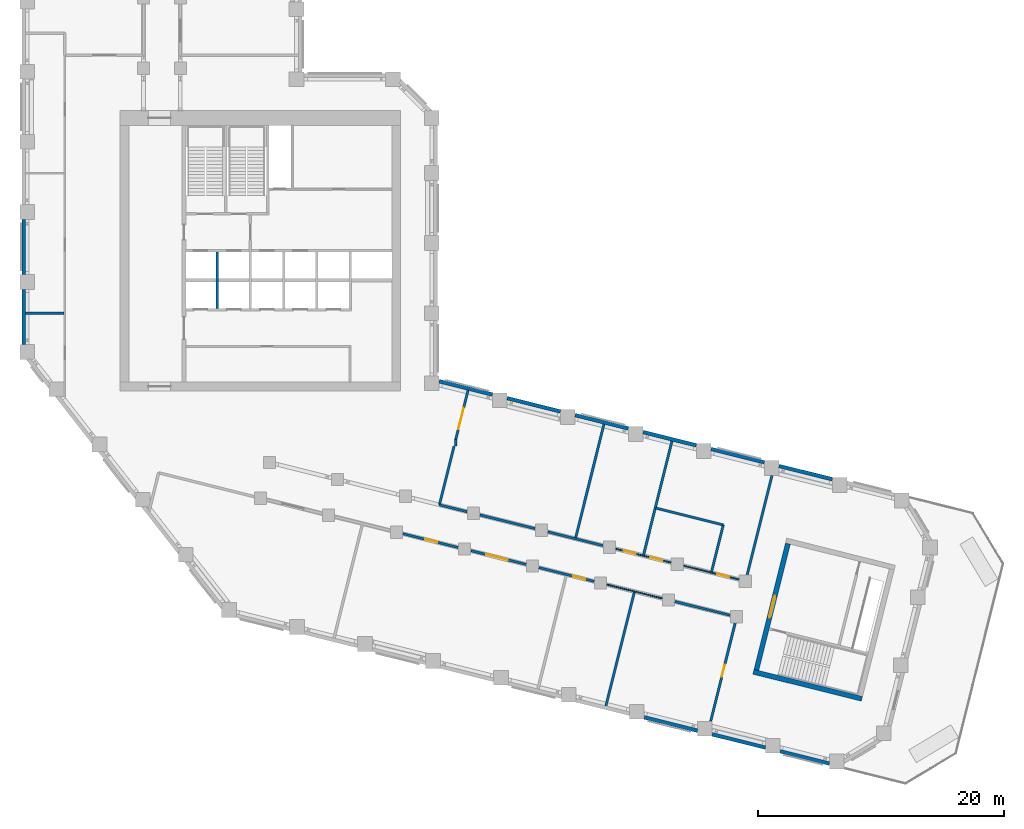
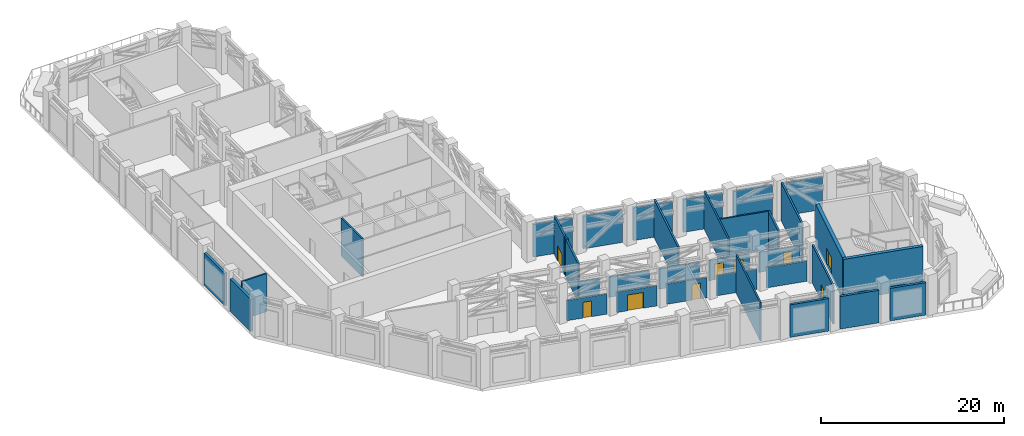
# One storey, part 7 of 14: 35 walls, 9 doors, 9 openings.
"""IFC4 building model written with IfcOpenShell, lengths in metres."""

from ifc_helpers import new_model, si_unit, direction, frame, frame_2d, origin, place, context, subcontext, project, spatial, rectangle, extrude, material, layer, layer_set, type_object, element, fill, save


model = new_model("IFC4")

# Units and contexts
model_context = context("Model", 3, precision=1e-05, world=origin(), true_north=direction((0.0, 1.0)))
body_context = subcontext(model_context, "Body", "Model", "MODEL_VIEW")
ifc_project = project(units=[si_unit("LENGTHUNIT", "METRE"), si_unit("AREAUNIT", "SQUARE_METRE"), si_unit("VOLUMEUNIT", "CUBIC_METRE"), si_unit("PLANEANGLEUNIT", "RADIAN"), si_unit("MASSUNIT", "GRAM", prefix="KILO")], contexts=[model_context])

# Site, building, storey
site_placement = place(None, origin())
site = spatial("IfcSite", under=ifc_project, at=site_placement, CompositionType="ELEMENT")
building_placement = place(site_placement, origin())
building = spatial("IfcBuilding", under=site, at=building_placement, Name="Meshkara Civic Tower", CompositionType="ELEMENT")
storey_placement = place(building_placement, frame((0.0, 0.0, 220.199951171875)))
storey = spatial("IfcBuildingStorey", under=building, at=storey_placement, Name="L50", CompositionType="ELEMENT", Elevation=220.199951171875)

# Wall
ifc_material_1 = material(Name="Corridor wall 100")
ifc_layer_1 = layer(ifc_material_1, 0.10009765625)
ifc_layer_set_1 = layer_set([ifc_layer_1], Name="Corridor wall 100")
wall_type_1 = type_object("IfcWallType", Name="Corridor wall 100", PredefinedType="PARTITIONING", material=ifc_layer_set_1)
wall_1_placement = place(storey_placement, frame((47.596923828125, -1.6640625, 0.0), z_axis=(0.0, 0.0, 1.0), x_axis=(0.970288155783, -0.241952257166, 0.0)))
element("IfcWall", 1, at=wall_1_placement, inside=storey, type_object=wall_type_1, Name="L50-R023", PredefinedType="PARTITIONING", context=body_context, shape_type="SweptSolid", body=[
    extrude(rectangle(XDim=4.62841796875, YDim=0.10009765625, at=frame_2d((2.314208984375, 0.0))), origin(), (0.0, 0.0, 1.0), 2.699951171875),
])

# Wall, openings, doors
wall_2_placement = place(storey_placement, frame((48.322998046875, 1.2470703125, 0.0), z_axis=(0.0, 0.0, 1.0), x_axis=(0.970275771514, -0.242001915722, 0.0)))
wall_2 = element("IfcWall", 2, at=wall_2_placement, inside=storey, type_object=wall_type_1, Name="L50-R024", PredefinedType="PARTITIONING", context=body_context, shape_type="SweptSolid", body=[
    extrude(rectangle(XDim=4.628662109375, YDim=0.10009765625, at=frame_2d((2.314453125, 0.0))), origin(), (0.0, 0.0, 1.0), 2.699951171875),
])
opening_1_placement = place(wall_2_placement, frame((0.679931640625, 0.0, 0.0)))
opening_1 = element("IfcOpeningElement", 3, at=opening_1_placement, cuts=wall_2, Name="Opening L50-P007", PredefinedType="OPENING", context=body_context, shape_type="SweptSolid", body=[
    extrude(rectangle(XDim=1.0, YDim=2.10009765625, at=frame_2d((0.5, 1.050048828125))), frame((0.0, 0.06005859375, 0.0), z_axis=(0.0, -1.0, 0.0), x_axis=(1.0, 0.0, 0.0)), (0.0, 0.0, 1.0), 0.1201171875),
])
opening_2_placement = place(wall_2_placement, frame((2.89404296875, 0.0, 0.0)))
opening_2 = element("IfcOpeningElement", 4, at=opening_2_placement, cuts=wall_2, Name="Opening L50-P008", PredefinedType="OPENING", context=body_context, shape_type="SweptSolid", body=[
    extrude(rectangle(XDim=1.0, YDim=2.10009765625, at=frame_2d((0.5, 1.050048828125))), frame((0.0, 0.06005859375, 0.0), z_axis=(0.0, -1.0, 0.0), x_axis=(1.0, 0.0, 0.0)), (0.0, 0.0, 1.0), 0.1201171875),
])
ifc_material_2 = material(Name="Door 1000 x 2100")
door_type_1 = type_object("IfcDoorType", Name="Door 1000 x 2100", OperationType="SINGLE_SWING_LEFT", PredefinedType="DOOR", material=ifc_material_2)
door_1_placement = place(opening_1_placement, origin())
door_1 = element("IfcDoor", 5, at=door_1_placement, inside=storey, type_object=door_type_1, Name="L50-P007", OperationType="SINGLE_SWING_RIGHT", OverallHeight=2.10009765625, OverallWidth=1.0, PredefinedType="DOOR", context=body_context, shape_type="SweptSolid", body=[
    extrude(rectangle(XDim=1.0, YDim=2.10009765625, at=frame_2d((0.5, 1.050048828125))), frame((0.0, 0.02490234375, 0.0), z_axis=(0.0, -1.0, 0.0), x_axis=(1.0, 0.0, 0.0)), (0.0, 0.0, 1.0), 0.050048828125),
])
fill(opening_1, door_1)
door_2_placement = place(opening_2_placement, origin())
door_2 = element("IfcDoor", 6, at=door_2_placement, inside=storey, type_object=door_type_1, Name="L50-P008", OperationType="SINGLE_SWING_LEFT", OverallHeight=2.10009765625, OverallWidth=1.0, PredefinedType="DOOR", context=body_context, shape_type="SweptSolid", body=[
    extrude(rectangle(XDim=1.0, YDim=2.10009765625, at=frame_2d((0.5, 1.050048828125))), frame((0.0, 0.02490234375, 0.0), z_axis=(0.0, -1.0, 0.0), x_axis=(1.0, 0.0, 0.0)), (0.0, 0.0, 1.0), 0.050048828125),
])
fill(opening_2, door_2)

# Wall, opening, door
wall_3_placement = place(storey_placement, frame((53.85400390625, -0.132080078125, 0.0), z_axis=(0.0, 0.0, 1.0), x_axis=(0.97032533494, -0.241803110762, 0.0)))
wall_3 = element("IfcWall", 7, at=wall_3_placement, inside=storey, type_object=wall_type_1, Name="L50-R026", PredefinedType="PARTITIONING", context=body_context, shape_type="SweptSolid", body=[
    extrude(rectangle(XDim=4.627197265625, YDim=0.10009765625, at=frame_2d((2.3134765625, 0.0))), origin(), (0.0, 0.0, 1.0), 2.699951171875),
])
opening_3_placement = place(wall_3_placement, frame((2.7939453125, 0.0, 0.0)))
opening_3 = element("IfcOpeningElement", 8, at=opening_3_placement, cuts=wall_3, Name="Opening L50-P003", PredefinedType="OPENING", context=body_context, shape_type="SweptSolid", body=[
    extrude(rectangle(XDim=1.0, YDim=2.10009765625, at=frame_2d((0.5, 1.050048828125))), frame((0.0, 0.06005859375, 0.0), z_axis=(0.0, -1.0, 0.0), x_axis=(1.0, 0.0, 0.0)), (0.0, 0.0, 1.0), 0.1201171875),
])
door_3_placement = place(opening_3_placement, origin())
door_3 = element("IfcDoor", 9, at=door_3_placement, inside=storey, type_object=door_type_1, Name="L50-P003", OperationType="SINGLE_SWING_LEFT", OverallHeight=2.10009765625, OverallWidth=1.0, PredefinedType="DOOR", context=body_context, shape_type="SweptSolid", body=[
    extrude(rectangle(XDim=1.0, YDim=2.10009765625, at=frame_2d((0.5, 1.050048828125))), frame((0.0, 0.02490234375, 0.0), z_axis=(0.0, -1.0, 0.0), x_axis=(1.0, 0.0, 0.0)), (0.0, 0.0, 1.0), 0.050048828125),
])
fill(opening_3, door_3)

# Walls
ifc_material_3 = material(Name="Insulated infill panel with bronze anodised aluminium cladding", Category="aluminium")
ifc_layer_2 = layer(ifc_material_3, 0.300048828125)
ifc_layer_set_2 = layer_set([ifc_layer_2], Name="EXTERNAL INFILL WALL 300")
wall_type_2 = type_object("IfcWallType", Name="EXTERNAL INFILL WALL 300", PredefinedType="SOLIDWALL", material=ifc_layer_set_2)
wall_4_placement = place(storey_placement, frame((65.93408203125, 6.904052734375, 0.0), z_axis=(0.0, 0.0, 1.0), x_axis=(-0.970296737599, 0.241917839369, 0.0)))
element("IfcWall", 10, at=wall_4_placement, inside=storey, type_object=wall_type_2, Name="External wall", PredefinedType="SOLIDWALL", context=body_context, shape_type="SweptSolid", body=[
    extrude(rectangle(XDim=4.463623046875, YDim=0.300048828125, at=frame_2d((2.23193359375, 0.0))), origin(), (0.0, 0.0, 1.0), 4.35009765625),
])
wall_5_placement = place(storey_placement, frame((60.403076171875, 8.282958984375, 0.0), z_axis=(0.0, 0.0, 1.0), x_axis=(-0.970271084239, 0.242020707977, 0.0)))
element("IfcWall", 11, at=wall_5_placement, inside=storey, type_object=wall_type_2, Name="External wall", PredefinedType="SOLIDWALL", context=body_context, shape_type="SweptSolid", body=[
    extrude(rectangle(XDim=4.462646484375, YDim=0.300048828125, at=frame_2d((2.2314453125, 0.0))), origin(), (0.0, 0.0, 1.0), 4.35009765625),
])
for number, where, z_axis, x_axis, name in (
    (12, (54.873046875, 9.662109375, 0.0), (0.0, 0.0, 1.0), (-0.970296737599, 0.241917839369, 0.0), "External wall"),
    (13, (49.342041015625, 11.041015625, 0.0), (0.0, 0.0, 1.0), (-0.970283897632, 0.241969332758, 0.0), "External wall"),
):
    element("IfcWall", number, at=place(storey_placement, frame(where, z_axis=z_axis, x_axis=x_axis)), inside=storey, type_object=wall_type_2, Name=name, PredefinedType="SOLIDWALL", context=body_context, shape_type="SweptSolid", body=[
        extrude(rectangle(XDim=4.463623046875, YDim=0.300048828125, at=frame_2d((2.23193359375, 0.0))), origin(), (0.0, 0.0, 1.0), 4.35009765625),
    ])
wall_6_placement = place(storey_placement, frame((43.81103515625, 12.419921875, 0.0), z_axis=(0.0, 0.0, 1.0), x_axis=(-0.970271084239, 0.242020707977, 0.0)))
element("IfcWall", 14, at=wall_6_placement, inside=storey, type_object=wall_type_2, Name="External wall", PredefinedType="SOLIDWALL", context=body_context, shape_type="SweptSolid", body=[
    extrude(rectangle(XDim=4.462646484375, YDim=0.300048828125, at=frame_2d((2.2314453125, 0.0))), origin(), (0.0, 0.0, 1.0), 4.35009765625),
])
wall_7_placement = place(storey_placement, frame((38.281005859375, 13.799072265625, 0.0), z_axis=(0.0, 0.0, 1.0), x_axis=(-0.970296737599, 0.241917839369, 0.0)))
element("IfcWall", 15, at=wall_7_placement, inside=storey, type_object=wall_type_2, Name="External wall", PredefinedType="SOLIDWALL", context=body_context, shape_type="SweptSolid", body=[
    extrude(rectangle(XDim=4.463623046875, YDim=0.300048828125, at=frame_2d((2.23193359375, 0.0))), origin(), (0.0, 0.0, 1.0), 4.35009765625),
])
wall_8_placement = place(storey_placement, frame((0.14990234375, 28.053955078125, 0.0), z_axis=(0.0, 0.0, 1.0), x_axis=(0.0, -1.0, 0.0)))
element("IfcWall", 16, at=wall_8_placement, inside=storey, type_object=wall_type_2, Name="External wall", PredefinedType="SOLIDWALL", context=body_context, shape_type="SweptSolid", body=[
    extrude(rectangle(XDim=4.498046875, YDim=0.300048828125, at=frame_2d((2.2490234375, 0.0))), origin(), (0.0, 0.0, 1.0), 4.35009765625),
])
wall_9_placement = place(storey_placement, frame((0.14990234375, 22.35400390625, 0.0), z_axis=(0.0, 0.0, 1.0), x_axis=(0.0, -1.0, 0.0)))
element("IfcWall", 17, at=wall_9_placement, inside=storey, type_object=wall_type_2, Name="External wall", PredefinedType="SOLIDWALL", context=body_context, shape_type="SweptSolid", body=[
    extrude(rectangle(XDim=4.4990234375, YDim=0.300048828125, at=frame_2d((2.24951171875, 0.0))), origin(), (0.0, 0.0, 1.0), 4.35009765625),
])
for number, where, z_axis, x_axis, name in (
    (18, (50.635009765625, -12.469970703125, 0.0), (0.0, 0.0, 1.0), (0.970283897632, -0.241969332758, 0.0), "External wall"),
    (19, (56.166015625, -13.84912109375, 0.0), (0.0, 0.0, 1.0), (0.970296737599, -0.241917839369, 0.0), "External wall"),
):
    element("IfcWall", number, at=place(storey_placement, frame(where, z_axis=z_axis, x_axis=x_axis)), inside=storey, type_object=wall_type_2, Name=name, PredefinedType="SOLIDWALL", context=body_context, shape_type="SweptSolid", body=[
        extrude(rectangle(XDim=4.463623046875, YDim=0.300048828125, at=frame_2d((2.23193359375, 0.0))), origin(), (0.0, 0.0, 1.0), 4.35009765625),
    ])
wall_10_placement = place(storey_placement, frame((61.697021484375, -15.22802734375, 0.0), z_axis=(0.0, 0.0, 1.0), x_axis=(0.970295624583, -0.241922303467, 0.0)))
element("IfcWall", 20, at=wall_10_placement, inside=storey, type_object=wall_type_2, Name="External wall", PredefinedType="SOLIDWALL", context=body_context, shape_type="SweptSolid", body=[
    extrude(rectangle(XDim=4.121337890625, YDim=0.300048828125, at=frame_2d((2.060546875, 0.0))), origin(), (0.0, 0.0, 1.0), 4.35009765625),
])
ifc_material_4 = material(Name="Concrete C70", Category="concrete")
ifc_layer_3 = layer(ifc_material_4, 0.39990234375)
ifc_layer_set_3 = layer_set([ifc_layer_3], Name="End core ring wall 400 C70")
wall_type_3 = type_object("IfcWallType", Name="End core ring wall 400 C70", PredefinedType="SHEAR", material=ifc_layer_set_3)
wall_11_placement = place(storey_placement, frame((59.51904296875, -8.759033203125, -0.449951171875), z_axis=(0.0, 0.0, 1.0), x_axis=(0.970287509026, -0.241954850805, 0.0)))
element("IfcWall", 21, at=wall_11_placement, inside=storey, type_object=wall_type_3, Name="L50-C026", PredefinedType="SHEAR", context=body_context, shape_type="SweptSolid", body=[
    extrude(rectangle(XDim=9.1005859375, YDim=0.39990234375, at=frame_2d((4.55029296875, 0.0))), origin(), (0.0, 0.0, 1.0), 5.550048828125),
])

# Wall, opening, door
wall_12_placement = place(storey_placement, frame((59.760986328125, -8.613037109375, -0.449951171875), z_axis=(0.0, 0.0, 1.0), x_axis=(0.241971982666, 0.970283236795, 0.0)))
wall_12 = element("IfcWall", 22, at=wall_12_placement, inside=storey, type_object=wall_type_3, Name="L50-C028", PredefinedType="SHEAR", context=body_context, shape_type="SweptSolid", body=[
    extrude(rectangle(XDim=10.60009765625, YDim=0.39990234375, at=frame_2d((5.300048828125, 0.0))), origin(), (0.0, 0.0, 1.0), 5.550048828125),
])
opening_4_placement = place(wall_12_placement, frame((4.39990234375, 0.0, 0.449951171875)))
opening_4 = element("IfcOpeningElement", 23, at=opening_4_placement, cuts=wall_12, Name="Opening L50-K202", PredefinedType="OPENING", context=body_context, shape_type="SweptSolid", body=[
    extrude(rectangle(XDim=1.800048828125, YDim=2.10009765625, at=frame_2d((0.89990234375, 1.050048828125))), frame((0.0, 0.2099609375, 0.0), z_axis=(0.0, -1.0, 0.0), x_axis=(1.0, 0.0, 0.0)), (0.0, 0.0, 1.0), 0.419921875),
])
ifc_material_5 = material(Name="Fire-rated door leaf in steel frame", Category="steel")
door_type_2 = type_object("IfcDoorType", Name="Core double door 1800 EI 60", OperationType="DOUBLE_DOOR_SINGLE_SWING", PredefinedType="DOOR", material=ifc_material_5)
door_4_placement = place(opening_4_placement, origin())
door_4 = element("IfcDoor", 24, at=door_4_placement, inside=storey, type_object=door_type_2, Name="L50-K202", OperationType="DOUBLE_DOOR_SINGLE_SWING", OverallHeight=2.10009765625, OverallWidth=1.800048828125, PredefinedType="DOOR", context=body_context, shape_type="SweptSolid", body=[
    extrude(rectangle(XDim=1.800048828125, YDim=2.10009765625, at=frame_2d((0.89990234375, 1.050048828125))), frame((0.0, 0.02490234375, 0.0), z_axis=(0.0, -1.0, 0.0), x_axis=(1.0, 0.0, 0.0)), (0.0, 0.0, 1.0), 0.050048828125),
])
fill(opening_4, door_4)

ifc_material_6 = material(Name="Fire-rated wall 200")
ifc_layer_4 = layer(ifc_material_6, 0.199951171875)
ifc_layer_set_4 = layer_set([ifc_layer_4], Name="Fire-rated wall 200")
wall_type_4 = type_object("IfcWallType", Name="Fire-rated wall 200", PredefinedType="PARTITIONING", material=ifc_layer_set_4)
wall_13_placement = place(storey_placement, frame((31.0048828125, 2.472900390625, 0.0), z_axis=(0.0, 0.0, 1.0), x_axis=(0.970291243425, -0.241939874624, 0.0)))
wall_13 = element("IfcWall", 25, at=wall_13_placement, inside=storey, type_object=wall_type_4, Name="L50-R014", PredefinedType="PARTITIONING", context=body_context, shape_type="SweptSolid", body=[
    extrude(rectangle(XDim=4.628662109375, YDim=0.199951171875, at=frame_2d((2.314453125, 0.0))), origin(), (0.0, 0.0, 1.0), 2.699951171875),
])
opening_5_placement = place(wall_13_placement, frame((1.8798828125, 0.0, 0.0)))
opening_5 = element("IfcOpeningElement", 26, at=opening_5_placement, cuts=wall_13, Name="Opening L50-P005", PredefinedType="OPENING", context=body_context, shape_type="SweptSolid", body=[
    extrude(rectangle(XDim=1.0, YDim=2.10009765625, at=frame_2d((0.5, 1.050048828125))), frame((0.0, 0.10986328125, 0.0), z_axis=(0.0, -1.0, 0.0), x_axis=(1.0, 0.0, 0.0)), (0.0, 0.0, 1.0), 0.219970703125),
])
door_5_placement = place(opening_5_placement, origin())
door_5 = element("IfcDoor", 27, at=door_5_placement, inside=storey, type_object=door_type_1, Name="L50-P005", OperationType="SINGLE_SWING_LEFT", OverallHeight=2.10009765625, OverallWidth=1.0, PredefinedType="DOOR", context=body_context, shape_type="SweptSolid", body=[
    extrude(rectangle(XDim=1.0, YDim=2.10009765625, at=frame_2d((0.5, 1.050048828125))), frame((0.0, 0.02490234375, 0.0), z_axis=(0.0, -1.0, 0.0), x_axis=(1.0, 0.0, 0.0)), (0.0, 0.0, 1.0), 0.050048828125),
])
fill(opening_5, door_5)

# Walls
wall_14_placement = place(storey_placement, frame((33.97607421875, 4.823974609375, 0.0), z_axis=(0.0, 0.0, 1.0), x_axis=(0.241940400058, 0.970291112409, 0.0)))
element("IfcWall", 28, at=wall_14_placement, inside=storey, type_object=wall_type_4, Name="L50-R015", PredefinedType="PARTITIONING", context=body_context, shape_type="SweptSolid", body=[
    extrude(rectangle(XDim=4.92236328125, YDim=0.199951171875, at=frame_2d((2.461181640625, 0.0))), origin(), (0.0, 0.0, 1.0), 5.10009765625),
])
wall_15_placement = place(storey_placement, frame((35.300048828125, 9.60009765625, 0.0), z_axis=(0.0, 0.0, 1.0), x_axis=(0.0, 1.0, 0.0)))
element("IfcWall", 29, at=wall_15_placement, inside=storey, type_object=wall_type_4, Name="L50-R016", PredefinedType="PARTITIONING", context=body_context, shape_type="SweptSolid", body=[
    extrude(rectangle(XDim=0.533935546875, YDim=0.199951171875, at=frame_2d((0.26708984375, 0.0))), origin(), (0.0, 0.0, 1.0), 5.10009765625),
])

# Wall, opening, door
wall_16_placement = place(storey_placement, frame((35.300048828125, 10.134033203125, 0.0), z_axis=(0.0, 0.0, 1.0), x_axis=(0.241815333826, 0.970322288895, 0.0)))
wall_16 = element("IfcWall", 30, at=wall_16_placement, inside=storey, type_object=wall_type_4, Name="L50-R017", PredefinedType="PARTITIONING", context=body_context, shape_type="SweptSolid", body=[
    extrude(rectangle(XDim=4.1474609375, YDim=0.199951171875, at=frame_2d((2.07373046875, 0.0))), origin(), (0.0, 0.0, 1.0), 5.10009765625),
])
opening_6_placement = place(wall_16_placement, frame((0.8798828125, 0.0, 0.0)))
opening_6 = element("IfcOpeningElement", 31, at=opening_6_placement, cuts=wall_16, Name="Opening L50-P009", PredefinedType="OPENING", context=body_context, shape_type="SweptSolid", body=[
    extrude(rectangle(XDim=1.800048828125, YDim=2.10009765625, at=frame_2d((0.89990234375, 1.050048828125))), frame((0.0, 0.10986328125, 0.0), z_axis=(0.0, -1.0, 0.0), x_axis=(1.0, 0.0, 0.0)), (0.0, 0.0, 1.0), 0.219970703125),
])
ifc_material_7 = material(Name="Door pair 1800 x 2100")
door_type_3 = type_object("IfcDoorType", Name="Door pair 1800 x 2100", OperationType="SINGLE_SWING_LEFT", PredefinedType="DOOR", material=ifc_material_7)
door_6_placement = place(opening_6_placement, origin())
door_6 = element("IfcDoor", 32, at=door_6_placement, inside=storey, type_object=door_type_3, Name="L50-P009", OperationType="DOUBLE_DOOR_SINGLE_SWING", OverallHeight=2.10009765625, OverallWidth=1.800048828125, PredefinedType="DOOR", context=body_context, shape_type="SweptSolid", body=[
    extrude(rectangle(XDim=1.800048828125, YDim=2.10009765625, at=frame_2d((0.89990234375, 1.050048828125))), frame((0.0, 0.02490234375, 0.0), z_axis=(0.0, -1.0, 0.0), x_axis=(1.0, 0.0, 0.0)), (0.0, 0.0, 1.0), 0.050048828125),
])
fill(opening_6, door_6)

# Wall
wall_17_placement = place(storey_placement, frame((36.221923828125, 4.263916015625, 0.0), z_axis=(0.0, 0.0, 1.0), x_axis=(-0.970285036702, 0.241964765104, 0.0)))
element("IfcWall", 33, at=wall_17_placement, inside=storey, type_object=wall_type_4, Name="L50-R018", PredefinedType="PARTITIONING", context=body_context, shape_type="SweptSolid", body=[
    extrude(rectangle(XDim=2.314697265625, YDim=0.199951171875, at=frame_2d((1.1572265625, 0.0))), origin(), (0.0, 0.0, 1.0), 2.699951171875),
])

# Wall, opening, door
wall_18_placement = place(storey_placement, frame((36.535888671875, 1.093994140625, 0.0), z_axis=(0.0, 0.0, 1.0), x_axis=(0.970275800472, -0.242001799618, 0.0)))
wall_18 = element("IfcWall", 34, at=wall_18_placement, inside=storey, type_object=wall_type_4, Name="L50-R019", PredefinedType="PARTITIONING", context=body_context, shape_type="SweptSolid", body=[
    extrude(rectangle(XDim=4.62744140625, YDim=0.199951171875, at=frame_2d((2.313720703125, 0.0))), origin(), (0.0, 0.0, 1.0), 2.699951171875),
])
opening_7_placement = place(wall_18_placement, frame((1.280029296875, 0.0, 0.0)))
opening_7 = element("IfcOpeningElement", 35, at=opening_7_placement, cuts=wall_18, Name="Opening L50-P006", PredefinedType="OPENING", context=body_context, shape_type="SweptSolid", body=[
    extrude(rectangle(XDim=1.800048828125, YDim=2.10009765625, at=frame_2d((0.89990234375, 1.050048828125))), frame((0.0, 0.10986328125, 0.0), z_axis=(0.0, -1.0, 0.0), x_axis=(1.0, 0.0, 0.0)), (0.0, 0.0, 1.0), 0.219970703125),
])
door_7_placement = place(opening_7_placement, origin())
door_7 = element("IfcDoor", 36, at=door_7_placement, inside=storey, type_object=door_type_3, Name="L50-P006", OperationType="DOUBLE_DOOR_SINGLE_SWING", OverallHeight=2.10009765625, OverallWidth=1.800048828125, PredefinedType="DOOR", context=body_context, shape_type="SweptSolid", body=[
    extrude(rectangle(XDim=1.800048828125, YDim=2.10009765625, at=frame_2d((0.89990234375, 1.050048828125))), frame((0.0, 0.02490234375, 0.0), z_axis=(0.0, -1.0, 0.0), x_axis=(1.0, 0.0, 0.0)), (0.0, 0.0, 1.0), 0.050048828125),
])
fill(opening_7, door_7)

# Wall
wall_19_placement = place(storey_placement, frame((41.751953125, 2.885009765625, 0.0), z_axis=(0.0, 0.0, 1.0), x_axis=(-0.970275800472, 0.242001799618, 0.0)))
element("IfcWall", 37, at=wall_19_placement, inside=storey, type_object=wall_type_4, Name="L50-R020", PredefinedType="PARTITIONING", context=body_context, shape_type="SweptSolid", body=[
    extrude(rectangle(XDim=4.62744140625, YDim=0.199951171875, at=frame_2d((2.313720703125, 0.0))), origin(), (0.0, 0.0, 1.0), 2.699951171875),
])

# Wall, opening, door
wall_20_placement = place(storey_placement, frame((42.06591796875, -0.284912109375, 0.0), z_axis=(0.0, 0.0, 1.0), x_axis=(0.970275771514, -0.242001915722, 0.0)))
wall_20 = element("IfcWall", 38, at=wall_20_placement, inside=storey, type_object=wall_type_4, Name="L50-R021", PredefinedType="PARTITIONING", context=body_context, shape_type="SweptSolid", body=[
    extrude(rectangle(XDim=4.628662109375, YDim=0.199951171875, at=frame_2d((2.314453125, 0.0))), origin(), (0.0, 0.0, 1.0), 2.699951171875),
])
opening_8_placement = place(wall_20_placement, frame((2.89404296875, 0.0, 0.0)))
opening_8 = element("IfcOpeningElement", 39, at=opening_8_placement, cuts=wall_20, Name="Opening L50-P002", PredefinedType="OPENING", context=body_context, shape_type="SweptSolid", body=[
    extrude(rectangle(XDim=1.0, YDim=2.10009765625, at=frame_2d((0.5, 1.050048828125))), frame((0.0, 0.10986328125, 0.0), z_axis=(0.0, -1.0, 0.0), x_axis=(1.0, 0.0, 0.0)), (0.0, 0.0, 1.0), 0.219970703125),
])
door_8_placement = place(opening_8_placement, origin())
door_8 = element("IfcDoor", 40, at=door_8_placement, inside=storey, type_object=door_type_1, Name="L50-P002", OperationType="SINGLE_SWING_RIGHT", OverallHeight=2.10009765625, OverallWidth=1.0, PredefinedType="DOOR", context=body_context, shape_type="SweptSolid", body=[
    extrude(rectangle(XDim=1.0, YDim=2.10009765625, at=frame_2d((0.5, 1.050048828125))), frame((0.0, 0.02490234375, 0.0), z_axis=(0.0, -1.0, 0.0), x_axis=(1.0, 0.0, 0.0)), (0.0, 0.0, 1.0), 0.050048828125),
])
fill(opening_8, door_8)

# Walls
wall_21_placement = place(storey_placement, frame((42.7919921875, 2.6259765625, 0.0), z_axis=(0.0, 0.0, 1.0), x_axis=(0.970288155783, -0.241952257166, 0.0)))
element("IfcWall", 41, at=wall_21_placement, inside=storey, type_object=wall_type_4, Name="L50-R022", PredefinedType="PARTITIONING", context=body_context, shape_type="SweptSolid", body=[
    extrude(rectangle(XDim=4.62841796875, YDim=0.199951171875, at=frame_2d((2.314208984375, 0.0))), origin(), (0.0, 0.0, 1.0), 2.699951171875),
])
wall_22_placement = place(storey_placement, frame((53.1279296875, -3.04296875, 0.0), z_axis=(0.0, 0.0, 1.0), x_axis=(0.970275771514, -0.242001915722, 0.0)))
element("IfcWall", 42, at=wall_22_placement, inside=storey, type_object=wall_type_4, Name="L50-R025", PredefinedType="PARTITIONING", context=body_context, shape_type="SweptSolid", body=[
    extrude(rectangle(XDim=4.628662109375, YDim=0.199951171875, at=frame_2d((2.314453125, 0.0))), origin(), (0.0, 0.0, 1.0), 2.699951171875),
])

# Wall, opening, door
wall_23_placement = place(storey_placement, frame((58.030029296875, -4.81201171875, 0.0), z_axis=(0.0, 0.0, 1.0), x_axis=(-0.242031312947, -0.970268438914, 0.0)))
wall_23 = element("IfcWall", 43, at=wall_23_placement, inside=storey, type_object=wall_type_4, Name="L50-R027", PredefinedType="PARTITIONING", context=body_context, shape_type="SweptSolid", body=[
    extrude(rectangle(XDim=8.201904296875, YDim=0.199951171875, at=frame_2d((4.10107421875, 0.0))), origin(), (0.0, 0.0, 1.0), 5.10009765625),
])
opening_9_placement = place(wall_23_placement, frame((3.47998046875, 0.0, 0.0)))
opening_9 = element("IfcOpeningElement", 44, at=opening_9_placement, cuts=wall_23, Name="Opening L50-P001", PredefinedType="OPENING", context=body_context, shape_type="SweptSolid", body=[
    extrude(rectangle(XDim=1.0, YDim=2.10009765625, at=frame_2d((0.5, 1.050048828125))), frame((0.0, 0.10986328125, 0.0), z_axis=(0.0, -1.0, 0.0), x_axis=(1.0, 0.0, 0.0)), (0.0, 0.0, 1.0), 0.219970703125),
])
door_9_placement = place(opening_9_placement, origin())
door_9 = element("IfcDoor", 45, at=door_9_placement, inside=storey, type_object=door_type_1, Name="L50-P001", OperationType="SINGLE_SWING_LEFT", OverallHeight=2.10009765625, OverallWidth=1.0, PredefinedType="DOOR", context=body_context, shape_type="SweptSolid", body=[
    extrude(rectangle(XDim=1.0, YDim=2.10009765625, at=frame_2d((0.5, 1.050048828125))), frame((0.0, 0.02490234375, 0.0), z_axis=(0.0, -1.0, 0.0), x_axis=(1.0, 0.0, 0.0)), (0.0, 0.0, 1.0), 0.050048828125),
])
fill(opening_9, door_9)

# Walls
wall_24_placement = place(storey_placement, frame((61.02587890625, 7.2041015625, 0.0), z_axis=(0.0, 0.0, 1.0), x_axis=(-0.241906746803, -0.97029950317, 0.0)))
element("IfcWall", 46, at=wall_24_placement, inside=storey, type_object=wall_type_4, Name="L50-R028", PredefinedType="PARTITIONING", context=body_context, shape_type="SweptSolid", body=[
    extrude(rectangle(XDim=8.31298828125, YDim=0.199951171875, at=frame_2d((4.156494140625, 0.0))), origin(), (0.0, 0.0, 1.0), 5.10009765625),
])
wall_25_placement = place(storey_placement, frame((3.449951171875, 20.39990234375, 0.0), z_axis=(0.0, 0.0, 1.0), x_axis=(-1.0, 0.0, 0.0)))
element("IfcWall", 47, at=wall_25_placement, inside=storey, type_object=wall_type_4, Name="L50-R030", PredefinedType="PARTITIONING", context=body_context, shape_type="SweptSolid", body=[
    extrude(rectangle(XDim=3.169921875, YDim=0.199951171875, at=frame_2d((1.5849609375, 0.0))), origin(), (0.0, 0.0, 1.0), 5.10009765625),
])
wall_26_placement = place(storey_placement, frame((45.050048828125, 2.114990234375, 0.0), z_axis=(0.0, 0.0, 1.0), x_axis=(0.241905276096, 0.970299869833, 0.0)))
element("IfcWall", 48, at=wall_26_placement, inside=storey, type_object=wall_type_4, Name="L50-R035", PredefinedType="PARTITIONING", context=body_context, shape_type="SweptSolid", body=[
    extrude(rectangle(XDim=9.569580078125, YDim=0.199951171875, at=frame_2d((4.78466796875, 0.0))), origin(), (0.0, 0.0, 1.0), 5.10009765625),
])
wall_27_placement = place(storey_placement, frame((47.5146484375, -11.558349609375, 0.0), z_axis=(0.0, 0.0, 1.0), x_axis=(0.241953313473, 0.97028789238, 0.0)))
element("IfcWall", 49, at=wall_27_placement, inside=storey, type_object=wall_type_4, Name="L50-R036", PredefinedType="PARTITIONING", context=body_context, shape_type="SweptSolid", body=[
    extrude(rectangle(XDim=9.56982421875, YDim=0.199951171875, at=frame_2d((4.784912109375, 0.0))), origin(), (0.0, 0.0, 1.0), 5.10009765625),
])
wall_28_placement = place(storey_placement, frame((50.580078125, 0.736083984375, 0.0), z_axis=(0.0, 0.0, 1.0), x_axis=(0.241905276096, 0.970299869833, 0.0)))
element("IfcWall", 50, at=wall_28_placement, inside=storey, type_object=wall_type_4, Name="L50-R037", PredefinedType="PARTITIONING", context=body_context, shape_type="SweptSolid", body=[
    extrude(rectangle(XDim=9.569580078125, YDim=0.199951171875, at=frame_2d((4.78466796875, 0.0))), origin(), (0.0, 0.0, 1.0), 5.10009765625),
])
wall_29_placement = place(storey_placement, frame((56.111083984375, -0.64306640625, 0.0), z_axis=(0.0, 0.0, 1.0), x_axis=(0.242011966792, 0.970273264565, 0.0)))
element("IfcWall", 51, at=wall_29_placement, inside=storey, type_object=wall_type_4, Name="L50-R038", PredefinedType="PARTITIONING", context=body_context, shape_type="SweptSolid", body=[
    extrude(rectangle(XDim=3.949462890625, YDim=0.199951171875, at=frame_2d((1.974609375, 0.0))), origin(), (0.0, 0.0, 1.0), 5.10009765625),
])
wall_30_placement = place(storey_placement, frame((57.06689453125, 3.18896484375, 0.0), z_axis=(0.0, 0.0, 1.0), x_axis=(-0.970289751225, 0.241945858961, 0.0)))
element("IfcWall", 52, at=wall_30_placement, inside=storey, type_object=wall_type_4, Name="L50-R039", PredefinedType="PARTITIONING", context=body_context, shape_type="SweptSolid", body=[
    extrude(rectangle(XDim=5.64990234375, YDim=0.199951171875, at=frame_2d((2.824951171875, 0.0))), origin(), (0.0, 0.0, 1.0), 5.10009765625),
])
ifc_material_8 = material(Name="Concrete C40/50", Category="concrete")
ifc_layer_5 = layer(ifc_material_8, 0.199951171875)
ifc_layer_set_5 = layer_set([ifc_layer_5], Name="Shaft wall 200 C40/50")
wall_type_5 = type_object("IfcWallType", Name="Shaft wall 200 C40/50", PredefinedType="SOLIDWALL", material=ifc_layer_set_5)
wall_31_placement = place(storey_placement, frame((15.89990234375, 20.800048828125, 0.0), z_axis=(0.0, 0.0, 1.0), x_axis=(0.0, 1.0, 0.0)))
element("IfcWall", 53, at=wall_31_placement, inside=storey, type_object=wall_type_5, Name="L50-C012", PredefinedType="SOLIDWALL", context=body_context, shape_type="SweptSolid", body=[
    extrude(rectangle(XDim=4.599853515625, YDim=0.199951171875, at=frame_2d((2.2998046875, 0.0))), origin(), (0.0, 0.0, 1.0), 5.10009765625),
])

save(model, "model.ifc")
